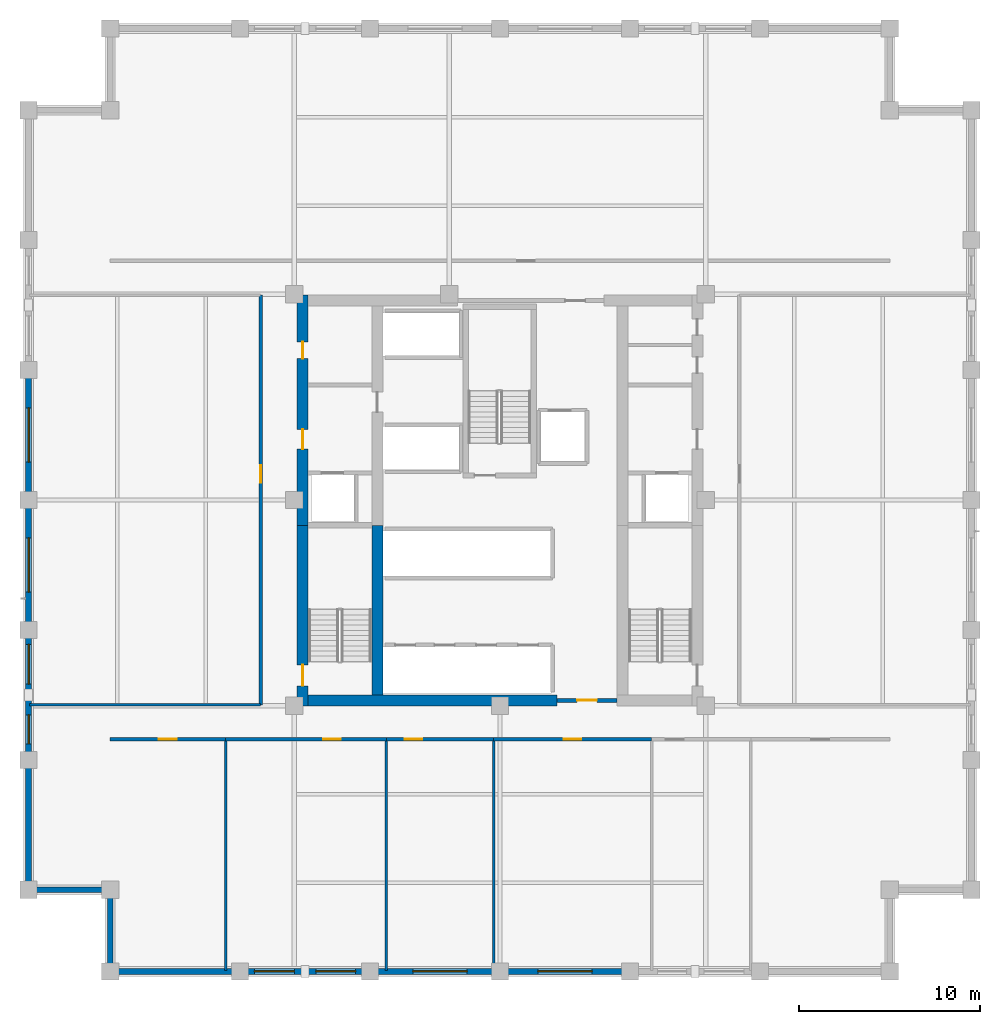
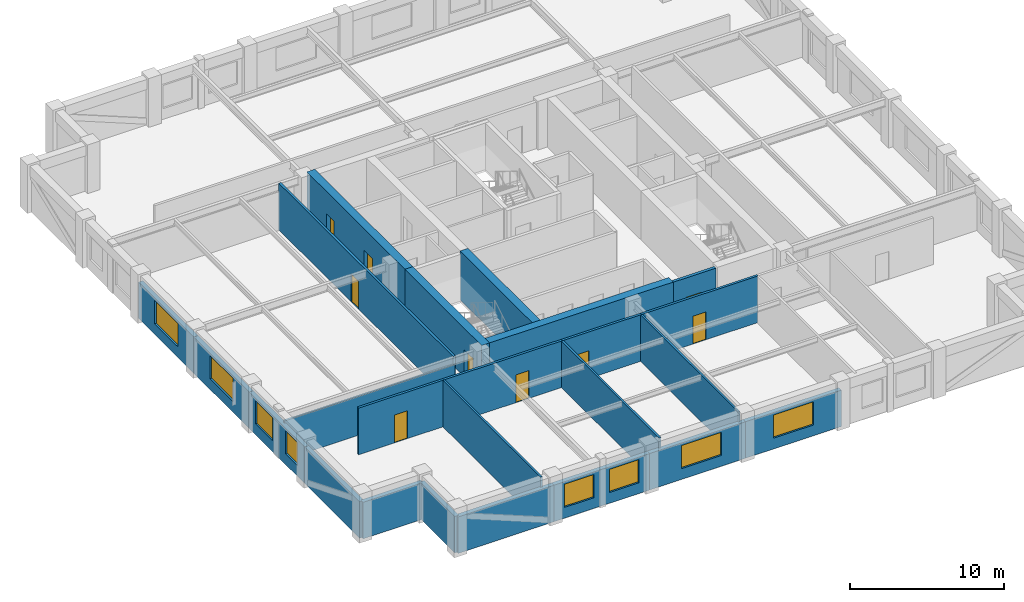
# One storey, part 5 of 9: 24 walls, 9 doors, 8 windows, 17 openings.
"""IFC4 building model written with IfcOpenShell, lengths in metres."""

from ifc_helpers import new_model, si_unit, direction, frame, frame_2d, origin, place, context, subcontext, project, spatial, rectangle, extrude, material, layer, layer_set, type_object, element, fill, save


model = new_model("IFC4")

# Units and contexts
model_context = context("Model", 3, precision=1e-05, world=origin(), true_north=direction((0.0, 1.0)))
body_context = subcontext(model_context, "Body", "Model", "MODEL_VIEW")
ifc_project = project(units=[si_unit("LENGTHUNIT", "METRE"), si_unit("AREAUNIT", "SQUARE_METRE"), si_unit("VOLUMEUNIT", "CUBIC_METRE"), si_unit("PLANEANGLEUNIT", "RADIAN"), si_unit("MASSUNIT", "GRAM", prefix="KILO")], contexts=[model_context])

# Site, building, storey
site_placement = place(None, origin())
site = spatial("IfcSite", under=ifc_project, at=site_placement, CompositionType="ELEMENT")
building_placement = place(site_placement, origin())
building = spatial("IfcBuilding", under=site, at=building_placement, Name="Nhamokura Convention Tower", CompositionType="ELEMENT")
storey_placement = place(building_placement, frame((0.0, 0.0, 156.800048828125)))
storey = spatial("IfcBuildingStorey", under=building, at=storey_placement, Name="L38", CompositionType="ELEMENT", Elevation=156.800048828125)

# Wall
ifc_material_1 = material(Name="Bronze-pigmented precast concrete C45/55", Category="concrete")
ifc_layer_1 = layer(ifc_material_1, 0.320068359375)
ifc_layer_set_1 = layer_set([ifc_layer_1], Name="BronzePrecastSpandrel_320")
wall_type_1 = type_object("IfcWallType", Name="BronzePrecastSpandrel_320", PredefinedType="USERDEFINED", material=ifc_layer_set_1)
wall_1_placement = place(storey_placement, frame((17.666748046875, 6.0, 0.0), z_axis=(0.0, 0.0, 1.0), x_axis=(-1.0, 0.0, 0.0)))
element("IfcWall", 1, at=wall_1_placement, inside=storey, type_object=wall_type_1, Name="L38 Braced-Bay Precast Wall SOUTH 0", ObjectType="SPANDREL_WALL", PredefinedType="USERDEFINED", context=body_context, shape_type="SweptSolid", body=[
    extrude(rectangle(XDim=7.166748046875, YDim=0.320068359375, at=frame_2d((3.58349609375, 0.0))), origin(), (0.0, 0.0, 1.0), 2.885009765625),
])

# Wall, openings, windows
wall_2_placement = place(storey_placement, frame((24.833251953125, 6.0, 0.0), z_axis=(0.0, 0.0, 1.0), x_axis=(-1.0, 0.0, 0.0)))
wall_2 = element("IfcWall", 2, at=wall_2_placement, inside=storey, type_object=wall_type_1, Name="L38 Masonry-Frame Wall SOUTH 1", ObjectType="SPANDREL_WALL", PredefinedType="USERDEFINED", context=body_context, shape_type="SweptSolid", body=[
    extrude(rectangle(XDim=7.16650390625, YDim=0.320068359375, at=frame_2d((3.583251953125, 0.0))), origin(), (0.0, 0.0, 1.0), 2.885009765625),
])
opening_1_placement = place(wall_2_placement, frame((0.791748046875, 0.0, 0.85009765625)))
opening_1 = element("IfcOpeningElement", 3, at=opening_1_placement, cuts=wall_2, Name="Opening W-06", PredefinedType="OPENING", context=body_context, shape_type="SweptSolid", body=[
    extrude(rectangle(XDim=2.199951171875, YDim=1.8349609375, at=frame_2d((1.10009765625, 0.91748046875))), frame((0.0, 0.169921875, 0.0), z_axis=(0.0, -1.0, 0.0), x_axis=(1.0, 0.0, 0.0)), (0.0, 0.0, 1.0), 0.340087890625),
])
opening_2_placement = place(wall_2_placement, frame((4.175048828125, 0.0, 0.85009765625)))
opening_2 = element("IfcOpeningElement", 4, at=opening_2_placement, cuts=wall_2, Name="Opening W-06", PredefinedType="OPENING", context=body_context, shape_type="SweptSolid", body=[
    extrude(rectangle(XDim=2.199951171875, YDim=1.8349609375, at=frame_2d((1.10009765625, 0.91748046875))), frame((0.0, 0.169921875, 0.0), z_axis=(0.0, -1.0, 0.0), x_axis=(1.0, 0.0, 0.0)), (0.0, 0.0, 1.0), 0.340087890625),
])
ifc_material_2 = material(Name="Solar-control bronze low-E double glass", Category="glass")
window_type_1 = type_object("IfcWindowType", Name="OfficeModuleWindow_Z2_2200", PartitioningType="SINGLE_PANEL", PredefinedType="WINDOW", material=ifc_material_2)
window_1_placement = place(opening_1_placement, origin())
window_1 = element("IfcWindow", 5, at=window_1_placement, inside=storey, type_object=window_type_1, Name="L38 Facade Window SOUTH 1-1", OverallHeight=1.8349609375, OverallWidth=2.199951171875, PartitioningType="SINGLE_PANEL", PredefinedType="WINDOW", context=body_context, shape_type="SweptSolid", body=[
    extrude(rectangle(XDim=2.199951171875, YDim=1.8349609375, at=frame_2d((1.10009765625, 0.91748046875))), frame((0.0, 0.030029296875, 0.0), z_axis=(0.0, -1.0, 0.0), x_axis=(1.0, 0.0, 0.0)), (0.0, 0.0, 1.0), 0.06005859375),
])
fill(opening_1, window_1)
window_2_placement = place(opening_2_placement, origin())
window_2 = element("IfcWindow", 6, at=window_2_placement, inside=storey, type_object=window_type_1, Name="L38 Facade Window SOUTH 1-2", OverallHeight=1.8349609375, OverallWidth=2.199951171875, PartitioningType="SINGLE_PANEL", PredefinedType="WINDOW", context=body_context, shape_type="SweptSolid", body=[
    extrude(rectangle(XDim=2.199951171875, YDim=1.8349609375, at=frame_2d((1.10009765625, 0.91748046875))), frame((0.0, 0.030029296875, 0.0), z_axis=(0.0, -1.0, 0.0), x_axis=(1.0, 0.0, 0.0)), (0.0, 0.0, 1.0), 0.06005859375),
])
fill(opening_2, window_2)

# Wall, opening, window
wall_3_placement = place(storey_placement, frame((32.0, 6.0, 0.0), z_axis=(0.0, 0.0, 1.0), x_axis=(-1.0, 0.0, 0.0)))
wall_3 = element("IfcWall", 7, at=wall_3_placement, inside=storey, type_object=wall_type_1, Name="L38 Masonry-Frame Wall SOUTH 2", ObjectType="SPANDREL_WALL", PredefinedType="USERDEFINED", context=body_context, shape_type="SweptSolid", body=[
    extrude(rectangle(XDim=7.166748046875, YDim=0.320068359375, at=frame_2d((3.58349609375, 0.0))), origin(), (0.0, 0.0, 1.0), 2.885009765625),
])
opening_3_placement = place(wall_3_placement, frame((1.808349609375, 0.0, 0.85009765625)))
opening_3 = element("IfcOpeningElement", 8, at=opening_3_placement, cuts=wall_3, Name="Opening W-05", PredefinedType="OPENING", context=body_context, shape_type="SweptSolid", body=[
    extrude(rectangle(XDim=3.0, YDim=1.8349609375, at=frame_2d((1.5, 0.91748046875))), frame((0.0, 0.169921875, 0.0), z_axis=(0.0, -1.0, 0.0), x_axis=(1.0, 0.0, 0.0)), (0.0, 0.0, 1.0), 0.340087890625),
])
ifc_material_3 = material(Name="Solar-control bronze low-E double glass", Category="glass")
window_type_2 = type_object("IfcWindowType", Name="OfficeModuleWindow_Z2_3000", PartitioningType="DOUBLE_PANEL_VERTICAL", PredefinedType="WINDOW", material=ifc_material_3)
window_3_placement = place(opening_3_placement, origin())
window_3 = element("IfcWindow", 9, at=window_3_placement, inside=storey, type_object=window_type_2, Name="L38 Facade Window SOUTH 2", OverallHeight=1.8349609375, OverallWidth=3.0, PartitioningType="SINGLE_PANEL", PredefinedType="WINDOW", context=body_context, shape_type="SweptSolid", body=[
    extrude(rectangle(XDim=3.0, YDim=1.8349609375, at=frame_2d((1.5, 0.91748046875))), frame((0.0, 0.030029296875, 0.0), z_axis=(0.0, -1.0, 0.0), x_axis=(1.0, 0.0, 0.0)), (0.0, 0.0, 1.0), 0.06005859375),
])
fill(opening_3, window_3)

wall_4_placement = place(storey_placement, frame((39.166748046875, 6.0, 0.0), z_axis=(0.0, 0.0, 1.0), x_axis=(-1.0, 0.0, 0.0)))
wall_4 = element("IfcWall", 10, at=wall_4_placement, inside=storey, type_object=wall_type_1, Name="L38 Masonry-Frame Wall SOUTH 3", ObjectType="SPANDREL_WALL", PredefinedType="USERDEFINED", context=body_context, shape_type="SweptSolid", body=[
    extrude(rectangle(XDim=7.166748046875, YDim=0.320068359375, at=frame_2d((3.58349609375, 0.0))), origin(), (0.0, 0.0, 1.0), 2.885009765625),
])
opening_4_placement = place(wall_4_placement, frame((2.083251953125, 0.0, 0.85009765625)))
opening_4 = element("IfcOpeningElement", 11, at=opening_4_placement, cuts=wall_4, Name="Opening W-05", PredefinedType="OPENING", context=body_context, shape_type="SweptSolid", body=[
    extrude(rectangle(XDim=3.0, YDim=1.8349609375, at=frame_2d((1.5, 0.91748046875))), frame((0.0, 0.169921875, 0.0), z_axis=(0.0, -1.0, 0.0), x_axis=(1.0, 0.0, 0.0)), (0.0, 0.0, 1.0), 0.340087890625),
])
window_4_placement = place(opening_4_placement, origin())
window_4 = element("IfcWindow", 12, at=window_4_placement, inside=storey, type_object=window_type_2, Name="L38 Facade Window SOUTH 3", OverallHeight=1.8349609375, OverallWidth=3.0, PartitioningType="SINGLE_PANEL", PredefinedType="WINDOW", context=body_context, shape_type="SweptSolid", body=[
    extrude(rectangle(XDim=3.0, YDim=1.8349609375, at=frame_2d((1.5, 0.91748046875))), frame((0.0, 0.030029296875, 0.0), z_axis=(0.0, -1.0, 0.0), x_axis=(1.0, 0.0, 0.0)), (0.0, 0.0, 1.0), 0.06005859375),
])
fill(opening_4, window_4)

# Wall
wall_5_placement = place(storey_placement, frame((6.0, 10.5, 0.0), z_axis=(0.0, 0.0, 1.0), x_axis=(0.0, 1.0, 0.0)))
element("IfcWall", 13, at=wall_5_placement, inside=storey, type_object=wall_type_1, Name="L38 Braced-Bay Precast Wall WEST 0", ObjectType="SPANDREL_WALL", PredefinedType="USERDEFINED", context=body_context, shape_type="SweptSolid", body=[
    extrude(rectangle(XDim=7.166748046875, YDim=0.320068359375, at=frame_2d((3.58349609375, 0.0))), origin(), (0.0, 0.0, 1.0), 2.885009765625),
])

# Wall, openings, windows
wall_6_placement = place(storey_placement, frame((6.0, 17.666748046875, 0.0), z_axis=(0.0, 0.0, 1.0), x_axis=(0.0, 1.0, 0.0)))
wall_6 = element("IfcWall", 14, at=wall_6_placement, inside=storey, type_object=wall_type_1, Name="L38 Masonry-Frame Wall WEST 1", ObjectType="SPANDREL_WALL", PredefinedType="USERDEFINED", context=body_context, shape_type="SweptSolid", body=[
    extrude(rectangle(XDim=7.16650390625, YDim=0.320068359375, at=frame_2d((3.583251953125, 0.0))), origin(), (0.0, 0.0, 1.0), 2.885009765625),
])
opening_5_placement = place(wall_6_placement, frame((0.879150390625, 0.0, 0.85009765625)))
opening_5 = element("IfcOpeningElement", 15, at=opening_5_placement, cuts=wall_6, Name="Opening W-11", PredefinedType="OPENING", context=body_context, shape_type="SweptSolid", body=[
    extrude(rectangle(XDim=1.60009765625, YDim=1.8349609375, at=frame_2d((0.800048828125, 0.91748046875))), frame((0.0, 0.169921875, 0.0), z_axis=(0.0, -1.0, 0.0), x_axis=(1.0, 0.0, 0.0)), (0.0, 0.0, 1.0), 0.340087890625),
])
opening_6_placement = place(wall_6_placement, frame((4.175048828125, 0.0, 0.85009765625)))
opening_6 = element("IfcOpeningElement", 16, at=opening_6_placement, cuts=wall_6, Name="Opening W-06", PredefinedType="OPENING", context=body_context, shape_type="SweptSolid", body=[
    extrude(rectangle(XDim=2.199951171875, YDim=1.8349609375, at=frame_2d((1.10009765625, 0.91748046875))), frame((0.0, 0.169921875, 0.0), z_axis=(0.0, -1.0, 0.0), x_axis=(1.0, 0.0, 0.0)), (0.0, 0.0, 1.0), 0.340087890625),
])
ifc_material_4 = material(Name="Solar-control bronze low-E double glass", Category="glass")
window_type_3 = type_object("IfcWindowType", Name="NotchCornerWindow_1600", PartitioningType="SINGLE_PANEL", PredefinedType="WINDOW", material=ifc_material_4)
window_5_placement = place(opening_5_placement, origin())
window_5 = element("IfcWindow", 17, at=window_5_placement, inside=storey, type_object=window_type_3, Name="L38 Facade Window WEST 1-1", OverallHeight=1.8349609375, OverallWidth=1.60009765625, PartitioningType="SINGLE_PANEL", PredefinedType="WINDOW", context=body_context, shape_type="SweptSolid", body=[
    extrude(rectangle(XDim=1.60009765625, YDim=1.8349609375, at=frame_2d((0.800048828125, 0.91748046875))), frame((0.0, 0.030029296875, 0.0), z_axis=(0.0, -1.0, 0.0), x_axis=(1.0, 0.0, 0.0)), (0.0, 0.0, 1.0), 0.06005859375),
])
fill(opening_5, window_5)
window_6_placement = place(opening_6_placement, origin())
window_6 = element("IfcWindow", 18, at=window_6_placement, inside=storey, type_object=window_type_1, Name="L38 Facade Window WEST 1-2", OverallHeight=1.8349609375, OverallWidth=2.199951171875, PartitioningType="SINGLE_PANEL", PredefinedType="WINDOW", context=body_context, shape_type="SweptSolid", body=[
    extrude(rectangle(XDim=2.199951171875, YDim=1.8349609375, at=frame_2d((1.10009765625, 0.91748046875))), frame((0.0, 0.030029296875, 0.0), z_axis=(0.0, -1.0, 0.0), x_axis=(1.0, 0.0, 0.0)), (0.0, 0.0, 1.0), 0.06005859375),
])
fill(opening_6, window_6)

# Wall, opening, window
wall_7_placement = place(storey_placement, frame((6.0, 24.833251953125, 0.0), z_axis=(0.0, 0.0, 1.0), x_axis=(0.0, 1.0, 0.0)))
wall_7 = element("IfcWall", 19, at=wall_7_placement, inside=storey, type_object=wall_type_1, Name="L38 Masonry-Frame Wall WEST 2", ObjectType="SPANDREL_WALL", PredefinedType="USERDEFINED", context=body_context, shape_type="SweptSolid", body=[
    extrude(rectangle(XDim=7.166748046875, YDim=0.320068359375, at=frame_2d((3.58349609375, 0.0))), origin(), (0.0, 0.0, 1.0), 2.885009765625),
])
opening_7_placement = place(wall_7_placement, frame((2.083251953125, 0.0, 0.85009765625)))
opening_7 = element("IfcOpeningElement", 20, at=opening_7_placement, cuts=wall_7, Name="Opening W-05", PredefinedType="OPENING", context=body_context, shape_type="SweptSolid", body=[
    extrude(rectangle(XDim=3.0, YDim=1.8349609375, at=frame_2d((1.5, 0.91748046875))), frame((0.0, 0.169921875, 0.0), z_axis=(0.0, -1.0, 0.0), x_axis=(1.0, 0.0, 0.0)), (0.0, 0.0, 1.0), 0.340087890625),
])
window_7_placement = place(opening_7_placement, origin())
window_7 = element("IfcWindow", 21, at=window_7_placement, inside=storey, type_object=window_type_2, Name="L38 Facade Window WEST 2", OverallHeight=1.8349609375, OverallWidth=3.0, PartitioningType="SINGLE_PANEL", PredefinedType="WINDOW", context=body_context, shape_type="SweptSolid", body=[
    extrude(rectangle(XDim=3.0, YDim=1.8349609375, at=frame_2d((1.5, 0.91748046875))), frame((0.0, 0.030029296875, 0.0), z_axis=(0.0, -1.0, 0.0), x_axis=(1.0, 0.0, 0.0)), (0.0, 0.0, 1.0), 0.06005859375),
])
fill(opening_7, window_7)

wall_8_placement = place(storey_placement, frame((6.0, 32.0, 0.0), z_axis=(0.0, 0.0, 1.0), x_axis=(0.0, 1.0, 0.0)))
wall_8 = element("IfcWall", 22, at=wall_8_placement, inside=storey, type_object=wall_type_1, Name="L38 Masonry-Frame Wall WEST 3", ObjectType="SPANDREL_WALL", PredefinedType="USERDEFINED", context=body_context, shape_type="SweptSolid", body=[
    extrude(rectangle(XDim=7.166748046875, YDim=0.320068359375, at=frame_2d((3.58349609375, 0.0))), origin(), (0.0, 0.0, 1.0), 2.885009765625),
])
opening_8_placement = place(wall_8_placement, frame((2.083251953125, 0.0, 0.85009765625)))
opening_8 = element("IfcOpeningElement", 23, at=opening_8_placement, cuts=wall_8, Name="Opening W-05", PredefinedType="OPENING", context=body_context, shape_type="SweptSolid", body=[
    extrude(rectangle(XDim=3.0, YDim=1.8349609375, at=frame_2d((1.5, 0.91748046875))), frame((0.0, 0.169921875, 0.0), z_axis=(0.0, -1.0, 0.0), x_axis=(1.0, 0.0, 0.0)), (0.0, 0.0, 1.0), 0.340087890625),
])
window_8_placement = place(opening_8_placement, origin())
window_8 = element("IfcWindow", 24, at=window_8_placement, inside=storey, type_object=window_type_2, Name="L38 Facade Window WEST 3", OverallHeight=1.8349609375, OverallWidth=3.0, PartitioningType="SINGLE_PANEL", PredefinedType="WINDOW", context=body_context, shape_type="SweptSolid", body=[
    extrude(rectangle(XDim=3.0, YDim=1.8349609375, at=frame_2d((1.5, 0.91748046875))), frame((0.0, 0.030029296875, 0.0), z_axis=(0.0, -1.0, 0.0), x_axis=(1.0, 0.0, 0.0)), (0.0, 0.0, 1.0), 0.06005859375),
])
fill(opening_8, window_8)

# Walls
for number, where, z_axis, x_axis, name in (
    (25, (10.5, 6.0, 0.0), (0.0, 0.0, 1.0), (0.0, 1.0, 0.0), "L38 Notched Corner Wall SW1"),
    (26, (10.5, 10.5, 0.0), (0.0, 0.0, 1.0), (-1.0, 0.0, 0.0), "L38 Notched Corner Wall SW2"),
):
    element("IfcWall", number, at=place(storey_placement, frame(where, z_axis=z_axis, x_axis=x_axis)), inside=storey, type_object=wall_type_1, Name=name, ObjectType="SPANDREL_WALL", PredefinedType="USERDEFINED", context=body_context, shape_type="SweptSolid", body=[
        extrude(rectangle(XDim=4.5, YDim=0.320068359375, at=frame_2d((2.25, 0.0))), origin(), (0.0, 0.0, 1.0), 2.885009765625),
    ])

# Wall, opening, door
ifc_material_5 = material(Name="Concrete C60/75", Category="concrete")
ifc_layer_2 = layer(ifc_material_5, 0.60009765625)
ifc_layer_set_2 = layer_set([ifc_layer_2], Name="CoreShearWall_600")
wall_type_2 = type_object("IfcWallType", Name="CoreShearWall_600", PredefinedType="SHEAR", material=ifc_layer_set_2)
wall_9_placement = place(storey_placement, frame((21.110107421875, 20.64990234375, 0.0), z_axis=(0.0, 0.0, 1.0), x_axis=(0.0, 1.0, 0.0)))
wall_9 = element("IfcWall", 27, at=wall_9_placement, inside=storey, type_object=wall_type_2, Name="L38 Core Shear Wall CW-WS", PredefinedType="SHEAR", context=body_context, shape_type="SweptSolid", body=[
    extrude(rectangle(XDim=9.9501953125, YDim=0.60009765625, at=frame_2d((4.97509765625, 0.0))), origin(), (0.0, 0.0, 1.0), 3.849853515625),
])
opening_9_placement = place(wall_9_placement, frame((1.10009765625, 0.0, 0.0)))
opening_9 = element("IfcOpeningElement", 28, at=opening_9_placement, cuts=wall_9, Name="Opening D-04", PredefinedType="OPENING", context=body_context, shape_type="SweptSolid", body=[
    extrude(rectangle(XDim=1.14990234375, YDim=2.14990234375, at=frame_2d((0.574951171875, 1.074951171875))), frame((0.0, 0.31005859375, 0.0), z_axis=(0.0, -1.0, 0.0), x_axis=(1.0, 0.0, 0.0)), (0.0, 0.0, 1.0), 0.6201171875),
])
ifc_material_6 = material(Name="Fire-rated steel door", Category="steel")
door_type_1 = type_object("IfcDoorType", Name="StairSmokeDoor_1150", OperationType="NOTDEFINED", PredefinedType="DOOR", material=ifc_material_6)
door_1_placement = place(opening_9_placement, origin())
door_1 = element("IfcDoor", 29, at=door_1_placement, inside=storey, type_object=door_type_1, Name="L38 Core Door INT-L38-D-ST01", OperationType="SINGLE_SWING_LEFT", OverallHeight=2.14990234375, OverallWidth=1.14990234375, PredefinedType="DOOR", context=body_context, shape_type="SweptSolid", body=[
    extrude(rectangle(XDim=1.14990234375, YDim=2.14990234375, at=frame_2d((0.574951171875, 1.074951171875))), frame((0.0, 0.02490234375, 0.0), z_axis=(0.0, -1.0, 0.0), x_axis=(1.0, 0.0, 0.0)), (0.0, 0.0, 1.0), 0.050048828125),
])
fill(opening_9, door_1)

# Wall, openings, doors
wall_10_placement = place(storey_placement, frame((21.110107421875, 30.60009765625, 0.0), z_axis=(0.0, 0.0, 1.0), x_axis=(0.0, 1.0, 0.0)))
wall_10 = element("IfcWall", 30, at=wall_10_placement, inside=storey, type_object=wall_type_2, Name="L38 Core Shear Wall CW-WN", PredefinedType="SHEAR", context=body_context, shape_type="SweptSolid", body=[
    extrude(rectangle(XDim=12.699951171875, YDim=0.60009765625, at=frame_2d((6.35009765625, 0.0))), origin(), (0.0, 0.0, 1.0), 3.849853515625),
])
opening_10_placement = place(wall_10_placement, frame((4.199951171875, 0.0, 0.0)))
opening_10 = element("IfcOpeningElement", 31, at=opening_10_placement, cuts=wall_10, Name="Opening D-05", PredefinedType="OPENING", context=body_context, shape_type="SweptSolid", body=[
    extrude(rectangle(XDim=1.10009765625, YDim=2.14990234375, at=frame_2d((0.550048828125, 1.074951171875))), frame((0.0, 0.31005859375, 0.0), z_axis=(0.0, -1.0, 0.0), x_axis=(1.0, 0.0, 0.0)), (0.0, 0.0, 1.0), 0.6201171875),
])
opening_11_placement = place(wall_10_placement, frame((9.199951171875, 0.0, 0.0)))
opening_11 = element("IfcOpeningElement", 32, at=opening_11_placement, cuts=wall_10, Name="Opening D-10", PredefinedType="OPENING", context=body_context, shape_type="SweptSolid", body=[
    extrude(rectangle(XDim=0.919921875, YDim=2.10009765625, at=frame_2d((0.4599609375, 1.050048828125))), frame((0.0, 0.31005859375, 0.0), z_axis=(0.0, -1.0, 0.0), x_axis=(1.0, 0.0, 0.0)), (0.0, 0.0, 1.0), 0.6201171875),
])
ifc_material_7 = material(Name="Solid oak hardwood", Category="wood")
door_type_2 = type_object("IfcDoorType", Name="AccessibleWCDoor_920", OperationType="NOTDEFINED", PredefinedType="DOOR", material=ifc_material_7)
door_2_placement = place(opening_11_placement, origin())
door_2 = element("IfcDoor", 33, at=door_2_placement, inside=storey, type_object=door_type_2, Name="L38 Core Door INT-L38-D-AWC", OperationType="SINGLE_SWING_LEFT", OverallHeight=2.10009765625, OverallWidth=0.919921875, PredefinedType="DOOR", context=body_context, shape_type="SweptSolid", body=[
    extrude(rectangle(XDim=0.919921875, YDim=2.10009765625, at=frame_2d((0.4599609375, 1.050048828125))), frame((0.0, 0.02490234375, 0.0), z_axis=(0.0, -1.0, 0.0), x_axis=(1.0, 0.0, 0.0)), (0.0, 0.0, 1.0), 0.050048828125),
])
fill(opening_11, door_2)
ifc_material_8 = material(Name="Fire-rated steel door", Category="steel")
door_type_3 = type_object("IfcDoorType", Name="FireLobbyDoor_1100", OperationType="NOTDEFINED", PredefinedType="DOOR", material=ifc_material_8)
door_3_placement = place(opening_10_placement, origin())
door_3 = element("IfcDoor", 34, at=door_3_placement, inside=storey, type_object=door_type_3, Name="L38 Core Door INT-L38-D-FFLW", OperationType="SINGLE_SWING_RIGHT", OverallHeight=2.14990234375, OverallWidth=1.10009765625, PredefinedType="DOOR", context=body_context, shape_type="SweptSolid", body=[
    extrude(rectangle(XDim=1.10009765625, YDim=2.14990234375, at=frame_2d((0.550048828125, 1.074951171875))), frame((0.0, 0.02490234375, 0.0), z_axis=(0.0, -1.0, 0.0), x_axis=(1.0, 0.0, 0.0)), (0.0, 0.0, 1.0), 0.050048828125),
])
fill(opening_10, door_3)

# Walls
wall_11_placement = place(storey_placement, frame((21.409912109375, 20.949951171875, 0.0), z_axis=(0.0, 0.0, 1.0), x_axis=(1.0, 0.0, 0.0)))
element("IfcWall", 35, at=wall_11_placement, inside=storey, type_object=wall_type_2, Name="L38 Core Shear Wall CW-S1", PredefinedType="SHEAR", context=body_context, shape_type="SweptSolid", body=[
    extrude(rectangle(XDim=13.739990234375, YDim=0.60009765625, at=frame_2d((6.8701171875, 0.0))), origin(), (0.0, 0.0, 1.0), 3.849853515625),
])
wall_12_placement = place(storey_placement, frame((25.239990234375, 21.25, 0.0), z_axis=(0.0, 0.0, 1.0), x_axis=(0.0, 1.0, 0.0)))
element("IfcWall", 36, at=wall_12_placement, inside=storey, type_object=wall_type_2, Name="L38 Core Shear Wall CW-IWS", PredefinedType="SHEAR", context=body_context, shape_type="SweptSolid", body=[
    extrude(rectangle(XDim=9.35009765625, YDim=0.60009765625, at=frame_2d((4.675048828125, 0.0))), origin(), (0.0, 0.0, 1.0), 3.849853515625),
])

# Wall, opening, door
ifc_material_9 = material(Name="Fire-rated gypsum and masonry partition", Category="masonry")
ifc_layer_3 = layer(ifc_material_9, 0.179931640625)
ifc_layer_set_3 = layer_set([ifc_layer_3], Name="CorridorRatedWall_180")
wall_type_3 = type_object("IfcWallType", Name="CorridorRatedWall_180", PredefinedType="STANDARD", material=ifc_layer_set_3)
wall_13_placement = place(storey_placement, frame((10.5, 18.800048828125, 0.0), z_axis=(0.0, 0.0, 1.0), x_axis=(1.0, 0.0, 0.0)))
wall_13 = element("IfcWall", 37, at=wall_13_placement, inside=storey, type_object=wall_type_3, Name="L38 Wall INT-L38-CW-S00", PredefinedType="STANDARD", context=body_context, shape_type="SweptSolid", body=[
    extrude(rectangle(XDim=6.36669921875, YDim=0.179931640625, at=frame_2d((3.183349609375, 0.0))), origin(), (0.0, 0.0, 1.0), 3.68505859375),
])
opening_12_placement = place(wall_13_placement, frame((2.683349609375, 0.0, 0.0)))
opening_12 = element("IfcOpeningElement", 38, at=opening_12_placement, cuts=wall_13, Name="Opening D-08", PredefinedType="OPENING", context=body_context, shape_type="SweptSolid", body=[
    extrude(rectangle(XDim=0.97998046875, YDim=2.199951171875, at=frame_2d((0.489990234375, 1.10009765625))), frame((0.0, 0.099853515625, 0.0), z_axis=(0.0, -1.0, 0.0), x_axis=(1.0, 0.0, 0.0)), (0.0, 0.0, 1.0), 0.199951171875),
])
ifc_material_10 = material(Name="Solid oak hardwood", Category="wood")
door_type_4 = type_object("IfcDoorType", Name="OfficeEntryDoor_980", OperationType="NOTDEFINED", PredefinedType="DOOR", material=ifc_material_10)
door_4_placement = place(opening_12_placement, origin())
door_4 = element("IfcDoor", 39, at=door_4_placement, inside=storey, type_object=door_type_4, Name="L38 Broadcast Studio S01 Door", OperationType="SINGLE_SWING_LEFT", OverallHeight=2.199951171875, OverallWidth=0.97998046875, PredefinedType="DOOR", context=body_context, shape_type="SweptSolid", body=[
    extrude(rectangle(XDim=0.97998046875, YDim=2.199951171875, at=frame_2d((0.489990234375, 1.10009765625))), frame((0.0, 0.02490234375, 0.0), z_axis=(0.0, -1.0, 0.0), x_axis=(1.0, 0.0, 0.0)), (0.0, 0.0, 1.0), 0.050048828125),
])
fill(opening_12, door_4)

wall_14_placement = place(storey_placement, frame((16.86669921875, 18.800048828125, 0.0), z_axis=(0.0, 0.0, 1.0), x_axis=(1.0, 0.0, 0.0)))
wall_14 = element("IfcWall", 40, at=wall_14_placement, inside=storey, type_object=wall_type_3, Name="L38 Wall INT-L38-CW-S01", PredefinedType="STANDARD", context=body_context, shape_type="SweptSolid", body=[
    extrude(rectangle(XDim=8.86669921875, YDim=0.179931640625, at=frame_2d((4.433349609375, 0.0))), origin(), (0.0, 0.0, 1.0), 3.68505859375),
])
opening_13_placement = place(wall_14_placement, frame((5.38330078125, 0.0, 0.0)))
opening_13 = element("IfcOpeningElement", 41, at=opening_13_placement, cuts=wall_14, Name="Opening D-08", PredefinedType="OPENING", context=body_context, shape_type="SweptSolid", body=[
    extrude(rectangle(XDim=0.97998046875, YDim=2.199951171875, at=frame_2d((0.489990234375, 1.10009765625))), frame((0.0, 0.099853515625, 0.0), z_axis=(0.0, -1.0, 0.0), x_axis=(1.0, 0.0, 0.0)), (0.0, 0.0, 1.0), 0.199951171875),
])
door_5_placement = place(opening_13_placement, origin())
door_5 = element("IfcDoor", 42, at=door_5_placement, inside=storey, type_object=door_type_4, Name="L38 Newsroom Office S02 Door", OperationType="SINGLE_SWING_RIGHT", OverallHeight=2.199951171875, OverallWidth=0.97998046875, PredefinedType="DOOR", context=body_context, shape_type="SweptSolid", body=[
    extrude(rectangle(XDim=0.97998046875, YDim=2.199951171875, at=frame_2d((0.489990234375, 1.10009765625))), frame((0.0, 0.02490234375, 0.0), z_axis=(0.0, -1.0, 0.0), x_axis=(1.0, 0.0, 0.0)), (0.0, 0.0, 1.0), 0.050048828125),
])
fill(opening_13, door_5)

wall_15_placement = place(storey_placement, frame((25.7333984375, 18.800048828125, 0.0), z_axis=(0.0, 0.0, 1.0), x_axis=(1.0, 0.0, 0.0)))
wall_15 = element("IfcWall", 43, at=wall_15_placement, inside=storey, type_object=wall_type_3, Name="L38 Wall INT-L38-CW-S02", PredefinedType="STANDARD", context=body_context, shape_type="SweptSolid", body=[
    extrude(rectangle(XDim=5.91650390625, YDim=0.179931640625, at=frame_2d((2.958251953125, 0.0))), origin(), (0.0, 0.0, 1.0), 3.68505859375),
])
opening_14_placement = place(wall_15_placement, frame((1.00830078125, 0.0, 0.0)))
opening_14 = element("IfcOpeningElement", 44, at=opening_14_placement, cuts=wall_15, Name="Opening D-08", PredefinedType="OPENING", context=body_context, shape_type="SweptSolid", body=[
    extrude(rectangle(XDim=0.97998046875, YDim=2.199951171875, at=frame_2d((0.489990234375, 1.10009765625))), frame((0.0, 0.099853515625, 0.0), z_axis=(0.0, -1.0, 0.0), x_axis=(1.0, 0.0, 0.0)), (0.0, 0.0, 1.0), 0.199951171875),
])
door_6_placement = place(opening_14_placement, origin())
door_6 = element("IfcDoor", 45, at=door_6_placement, inside=storey, type_object=door_type_4, Name="L38 Green Room Lounge S03 Door", OperationType="SINGLE_SWING_LEFT", OverallHeight=2.199951171875, OverallWidth=0.97998046875, PredefinedType="DOOR", context=body_context, shape_type="SweptSolid", body=[
    extrude(rectangle(XDim=0.97998046875, YDim=2.199951171875, at=frame_2d((0.489990234375, 1.10009765625))), frame((0.0, 0.02490234375, 0.0), z_axis=(0.0, -1.0, 0.0), x_axis=(1.0, 0.0, 0.0)), (0.0, 0.0, 1.0), 0.050048828125),
])
fill(opening_14, door_6)

wall_16_placement = place(storey_placement, frame((31.64990234375, 18.800048828125, 0.0), z_axis=(0.0, 0.0, 1.0), x_axis=(1.0, 0.0, 0.0)))
wall_16 = element("IfcWall", 46, at=wall_16_placement, inside=storey, type_object=wall_type_3, Name="L38 Wall INT-L38-CW-S03", PredefinedType="STANDARD", context=body_context, shape_type="SweptSolid", body=[
    extrude(rectangle(XDim=8.716796875, YDim=0.179931640625, at=frame_2d((4.3583984375, 0.0))), origin(), (0.0, 0.0, 1.0), 3.68505859375),
])
opening_15_placement = place(wall_16_placement, frame((3.8583984375, 0.0, 0.0)))
opening_15 = element("IfcOpeningElement", 47, at=opening_15_placement, cuts=wall_16, Name="Opening D-08", PredefinedType="OPENING", context=body_context, shape_type="SweptSolid", body=[
    extrude(rectangle(XDim=0.97998046875, YDim=2.199951171875, at=frame_2d((0.489990234375, 1.10009765625))), frame((0.0, 0.099853515625, 0.0), z_axis=(0.0, -1.0, 0.0), x_axis=(1.0, 0.0, 0.0)), (0.0, 0.0, 1.0), 0.199951171875),
])
door_7_placement = place(opening_15_placement, origin())
door_7 = element("IfcDoor", 48, at=door_7_placement, inside=storey, type_object=door_type_4, Name="L38 Broadcast Studio S04 Door", OperationType="SINGLE_SWING_RIGHT", OverallHeight=2.199951171875, OverallWidth=0.97998046875, PredefinedType="DOOR", context=body_context, shape_type="SweptSolid", body=[
    extrude(rectangle(XDim=0.97998046875, YDim=2.199951171875, at=frame_2d((0.489990234375, 1.10009765625))), frame((0.0, 0.02490234375, 0.0), z_axis=(0.0, -1.0, 0.0), x_axis=(1.0, 0.0, 0.0)), (0.0, 0.0, 1.0), 0.050048828125),
])
fill(opening_15, door_7)

wall_17_placement = place(storey_placement, frame((18.800048828125, 20.699951171875, 0.0), z_axis=(0.0, 0.0, 1.0), x_axis=(0.0, 1.0, 0.0)))
wall_17 = element("IfcWall", 49, at=wall_17_placement, inside=storey, type_object=wall_type_3, Name="L38 Wall INT-L38-CW-W00", PredefinedType="STANDARD", context=body_context, shape_type="SweptSolid", body=[
    extrude(rectangle(XDim=22.60009765625, YDim=0.179931640625, at=frame_2d((11.300048828125, 0.0))), origin(), (0.0, 0.0, 1.0), 3.68505859375),
])
opening_16_placement = place(wall_17_placement, frame((12.25, 0.0, 0.0)))
opening_16 = element("IfcOpeningElement", 50, at=opening_16_placement, cuts=wall_17, Name="Opening D-08", PredefinedType="OPENING", context=body_context, shape_type="SweptSolid", body=[
    extrude(rectangle(XDim=0.97998046875, YDim=2.199951171875, at=frame_2d((0.489990234375, 1.10009765625))), frame((0.0, 0.099853515625, 0.0), z_axis=(0.0, -1.0, 0.0), x_axis=(1.0, 0.0, 0.0)), (0.0, 0.0, 1.0), 0.199951171875),
])
door_8_placement = place(opening_16_placement, origin())
door_8 = element("IfcDoor", 51, at=door_8_placement, inside=storey, type_object=door_type_4, Name="L38 Private Office W01 Door", OperationType="SINGLE_SWING_LEFT", OverallHeight=2.199951171875, OverallWidth=0.97998046875, PredefinedType="DOOR", context=body_context, shape_type="SweptSolid", body=[
    extrude(rectangle(XDim=0.97998046875, YDim=2.199951171875, at=frame_2d((0.489990234375, 1.10009765625))), frame((0.0, 0.02490234375, 0.0), z_axis=(0.0, -1.0, 0.0), x_axis=(1.0, 0.0, 0.0)), (0.0, 0.0, 1.0), 0.050048828125),
])
fill(opening_16, door_8)

ifc_material_11 = material(Name="Autoclaved concrete blockwork", Category="masonry")
ifc_layer_4 = layer(ifc_material_11, 0.219970703125)
ifc_layer_set_4 = layer_set([ifc_layer_4], Name="FireLobbyWall_220")
wall_type_4 = type_object("IfcWallType", Name="FireLobbyWall_220", PredefinedType="STANDARD", material=ifc_layer_set_4)
wall_18_placement = place(storey_placement, frame((35.14990234375, 20.949951171875, 0.0), z_axis=(0.0, 0.0, 1.0), x_axis=(1.0, 0.0, 0.0)))
wall_18 = element("IfcWall", 52, at=wall_18_placement, inside=storey, type_object=wall_type_4, Name="L38 Wall INT-L38-SPORT-S", PredefinedType="STANDARD", context=body_context, shape_type="SweptSolid", body=[
    extrude(rectangle(XDim=3.300048828125, YDim=0.219970703125, at=frame_2d((1.64990234375, 0.0))), origin(), (0.0, 0.0, 1.0), 3.68505859375),
])
opening_17_placement = place(wall_18_placement, frame((1.10009765625, 0.0, 0.0)))
opening_17 = element("IfcOpeningElement", 53, at=opening_17_placement, cuts=wall_18, Name="Opening D-05", PredefinedType="OPENING", context=body_context, shape_type="SweptSolid", body=[
    extrude(rectangle(XDim=1.10009765625, YDim=2.14990234375, at=frame_2d((0.550048828125, 1.074951171875))), frame((0.0, 0.119873046875, 0.0), z_axis=(0.0, -1.0, 0.0), x_axis=(1.0, 0.0, 0.0)), (0.0, 0.0, 1.0), 0.239990234375),
])
door_9_placement = place(opening_17_placement, origin())
door_9 = element("IfcDoor", 54, at=door_9_placement, inside=storey, type_object=door_type_3, Name="L38 South Core Lobby Portal Door", OperationType="SINGLE_SWING_LEFT", OverallHeight=2.14990234375, OverallWidth=1.10009765625, PredefinedType="DOOR", context=body_context, shape_type="SweptSolid", body=[
    extrude(rectangle(XDim=1.10009765625, YDim=2.14990234375, at=frame_2d((0.550048828125, 1.074951171875))), frame((0.0, 0.02490234375, 0.0), z_axis=(0.0, -1.0, 0.0), x_axis=(1.0, 0.0, 0.0)), (0.0, 0.0, 1.0), 0.050048828125),
])
fill(opening_17, door_9)

# Walls
ifc_material_12 = material(Name="Acoustic gypsum stud partition", Category="masonry")
ifc_layer_5 = layer(ifc_material_12, 0.14990234375)
ifc_layer_set_5 = layer_set([ifc_layer_5], Name="InteriorPartition_150")
wall_type_5 = type_object("IfcWallType", Name="InteriorPartition_150", PredefinedType="STANDARD", material=ifc_layer_set_5)
for number, where, z_axis, x_axis, name in (
    (55, (16.86669921875, 6.06005859375, 0.0), (0.0, 0.0, 1.0), (0.0, 1.0, 0.0), "L38 Wall INT-L38-RW-S01"),
    (56, (25.7333984375, 6.06005859375, 0.0), (0.0, 0.0, 1.0), (0.0, 1.0, 0.0), "L38 Wall INT-L38-RW-S02"),
    (57, (31.64990234375, 6.06005859375, 0.0), (0.0, 0.0, 1.0), (0.0, 1.0, 0.0), "L38 Wall INT-L38-RW-S03"),
):
    element("IfcWall", number, at=place(storey_placement, frame(where, z_axis=z_axis, x_axis=x_axis)), inside=storey, type_object=wall_type_5, Name=name, PredefinedType="STANDARD", context=body_context, shape_type="SweptSolid", body=[
        extrude(rectangle(XDim=12.739990234375, YDim=0.14990234375, at=frame_2d((6.3701171875, 0.0))), origin(), (0.0, 0.0, 1.0), 3.68505859375),
    ])
wall_19_placement = place(storey_placement, frame((6.06005859375, 20.699951171875, 0.0), z_axis=(0.0, 0.0, 1.0), x_axis=(1.0, 0.0, 0.0)))
element("IfcWall", 58, at=wall_19_placement, inside=storey, type_object=wall_type_5, Name="L38 Wall INT-L38-RWB-W", PredefinedType="STANDARD", context=body_context, shape_type="SweptSolid", body=[
    extrude(rectangle(XDim=12.739990234375, YDim=0.14990234375, at=frame_2d((6.3701171875, 0.0))), origin(), (0.0, 0.0, 1.0), 3.06494140625),
])

save(model, "model.ifc")
